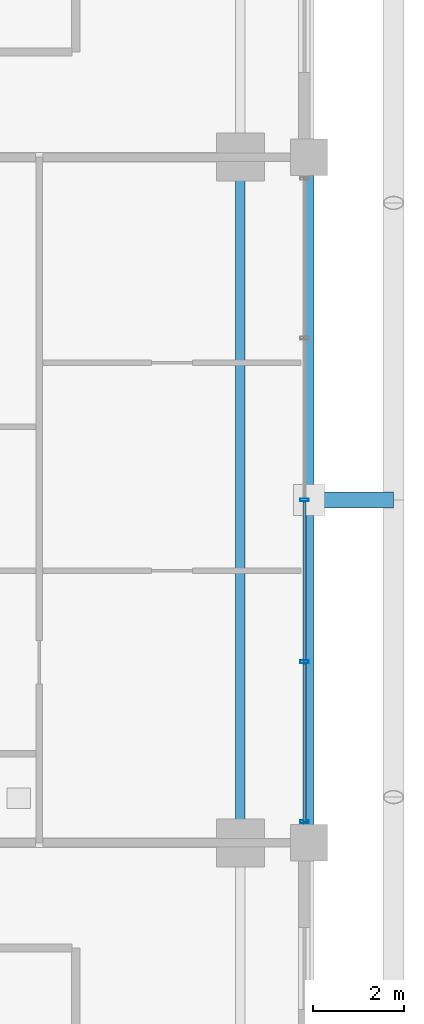
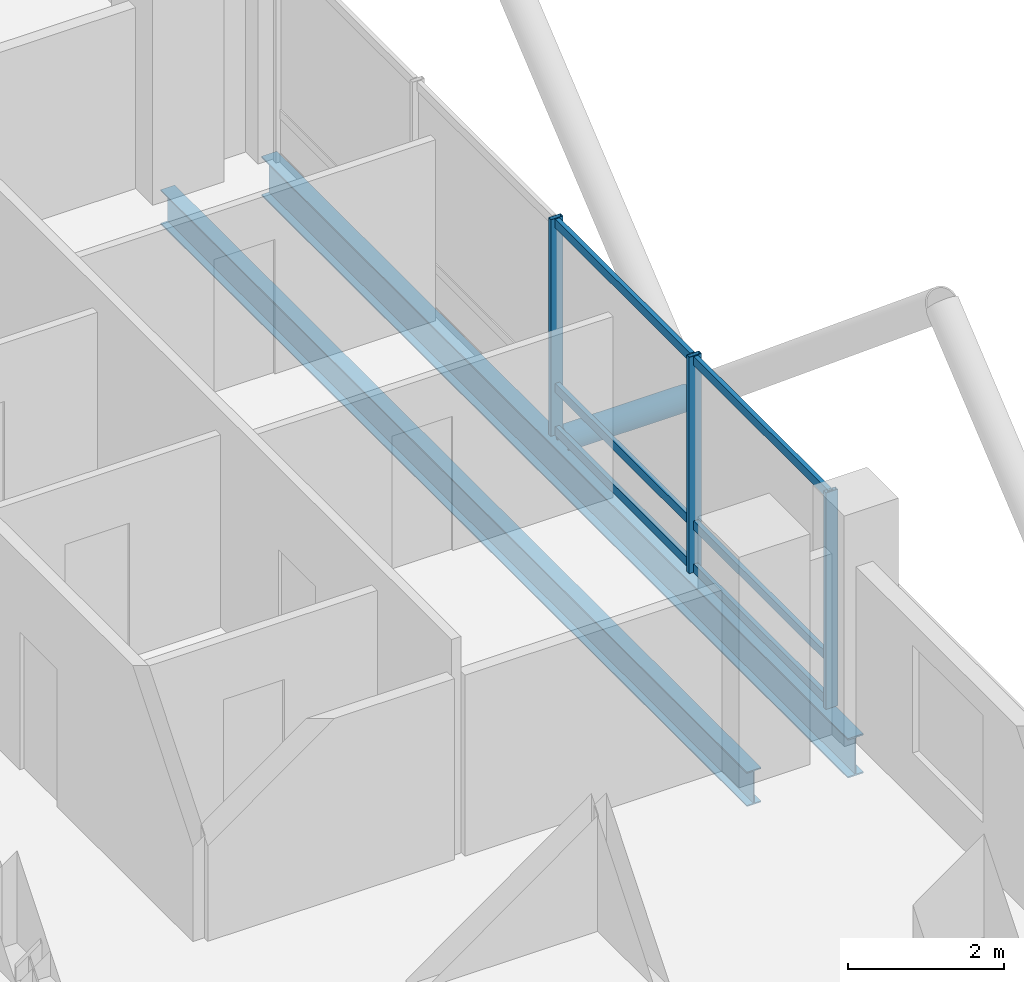
# One storey, part 11 of 26: 10 members, 2 beams, 1 element without a shape of its own.
"""IFC4 building model written with IfcOpenShell, lengths in metres."""

from ifc_helpers import new_model, si_unit, direction, frame, origin, origin_2d, place, context, subcontext, project, spatial, hollow_rectangle, hollow_circle, i_section, extrude, material, layer, layer_set, material_profile, profile_set, type_object, element, aggregate, save


model = new_model("IFC4")

# Units and contexts
model_context = context("Model", 3, precision=1e-05, world=origin(), true_north=direction((0.0, 1.0)))
body_context = subcontext(model_context, "Body", "Model", "MODEL_VIEW")
ifc_project = project(units=[si_unit("LENGTHUNIT", "METRE"), si_unit("AREAUNIT", "SQUARE_METRE"), si_unit("VOLUMEUNIT", "CUBIC_METRE"), si_unit("PLANEANGLEUNIT", "RADIAN"), si_unit("MASSUNIT", "GRAM", prefix="KILO")], contexts=[model_context])

# Site, building, storey
site_placement = place(None, origin())
site = spatial("IfcSite", under=ifc_project, at=site_placement, CompositionType="ELEMENT")
building_placement = place(site_placement, origin())
building = spatial("IfcBuilding", under=site, at=building_placement, Name="Barlavira Tower and Art Museum", CompositionType="ELEMENT")
storey_placement = place(building_placement, frame((0.0, 0.0, 176.39990234375)))
storey = spatial("IfcBuildingStorey", under=building, at=storey_placement, Name="L45", CompositionType="ELEMENT", Elevation=176.39990234375)

# Curtain wall, members
ifc_material_1 = material(Name="Low-iron coastal laminated glass", Category="glass")
ifc_layer = layer(ifc_material_1, 0.199951171875, Name="Low-iron coastal laminated glass")
ifc_layer_set = layer_set([ifc_layer], Name="Low-iron coastal laminated glass")
curtain_wall_type = type_object("IfcCurtainWallType", Name="Pale-Metal Unitised Curtain Wall Zone 3", PredefinedType="NOTDEFINED", material=ifc_layer_set)
curtain_wall_placement = place(storey_placement, origin())
curtain_wall = element("IfcCurtainWall", 1, at=curtain_wall_placement, inside=storey, type_object=curtain_wall_type, Name="L45 Curtain Wall CW3-L45-E-B3", PredefinedType="NOTDEFINED")
ifc_material_2 = material(Name="Pale anodised aluminium", Category="aluminium")
ifc_material_profile_1 = material_profile(ifc_material_2, hollow_rectangle(XDim=0.06494140625, YDim=0.179931640625, WallThickness=0.00390625, at=origin_2d()), Name="ALU-MULL 65x180x4")
ifc_profile_set_1 = profile_set([ifc_material_profile_1], Name="Pale anodised aluminium")
member_type_1 = type_object("IfcMemberType", Name="Curtain Wall Pale-Metal Mullion 65x180", PredefinedType="MULLION", material=ifc_profile_set_1)
member_1_placement = place(storey_placement, frame((18.39990234375, -7.034912109375, 0.0), z_axis=(0.0, 0.0, 1.0), x_axis=(0.0, 1.0, 0.0)))
member_1 = element("IfcMember", 2, at=member_1_placement, type_object=member_type_1, Name="CW3-L45-E-B3 Mullion 0", PredefinedType="MULLION", context=body_context, shape_type="SweptSolid", body=[
    extrude(hollow_rectangle(XDim=0.06494140625, YDim=0.179931640625, WallThickness=0.00390625, at=origin_2d()), origin(), (0.0, 0.0, 1.0), 3.380126953125),
])
member_2_placement = place(storey_placement, frame((18.39990234375, -3.5400390625, 0.0), z_axis=(0.0, 0.0, 1.0), x_axis=(0.0, 1.0, 0.0)))
member_2 = element("IfcMember", 3, at=member_2_placement, type_object=member_type_1, Name="CW3-L45-E-B3 Mullion 1", PredefinedType="MULLION", context=body_context, shape_type="SweptSolid", body=[
    extrude(hollow_rectangle(XDim=0.06494140625, YDim=0.179931640625, WallThickness=0.00390625, at=origin_2d()), origin(), (0.0, 0.0, 1.0), 3.380126953125),
])
member_3_placement = place(storey_placement, frame((18.39990234375, 0.0, 0.0), z_axis=(0.0, 0.0, 1.0), x_axis=(0.0, 1.0, 0.0)))
member_3 = element("IfcMember", 4, at=member_3_placement, type_object=member_type_1, Name="CW3-L45-E-B3 Mullion 2", PredefinedType="MULLION", context=body_context, shape_type="SweptSolid", body=[
    extrude(hollow_rectangle(XDim=0.06494140625, YDim=0.179931640625, WallThickness=0.00390625, at=origin_2d()), origin(), (0.0, 0.0, 1.0), 3.380126953125),
])
ifc_material_profile_2 = material_profile(ifc_material_2, hollow_rectangle(XDim=0.06494140625, YDim=0.139892578125, WallThickness=0.00390625, at=origin_2d()), Name="ALU-TRAN 65x140x4")
ifc_profile_set_2 = profile_set([ifc_material_profile_2], Name="Pale anodised aluminium")
member_type_2 = type_object("IfcMemberType", Name="Curtain Wall Pale-Metal Transom 65x140", PredefinedType="USERDEFINED", material=ifc_profile_set_2)
member_4_placement = place(storey_placement, frame((18.39990234375, -7.034912109375, 0.070068359375), z_axis=(0.0, 1.0, 0.0), x_axis=(-1.0, 0.0, 0.0)))
member_4 = element("IfcMember", 5, at=member_4_placement, type_object=member_type_2, Name="CW3-L45-E-B3 Transom 0.1", ObjectType="TRANSOM", PredefinedType="USERDEFINED", context=body_context, shape_type="SweptSolid", body=[
    extrude(hollow_rectangle(XDim=0.06494140625, YDim=0.139892578125, WallThickness=0.00390625, at=origin_2d()), origin(), (0.0, 0.0, 1.0), 3.449951171875),
])
member_5_placement = place(storey_placement, frame((18.39990234375, -7.034912109375, 0.744140625), z_axis=(0.0, 1.0, 0.0), x_axis=(-1.0, 0.0, 0.0)))
member_5 = element("IfcMember", 6, at=member_5_placement, type_object=member_type_2, Name="CW3-L45-E-B3 Transom 0.2", ObjectType="TRANSOM", PredefinedType="USERDEFINED", context=body_context, shape_type="SweptSolid", body=[
    extrude(hollow_rectangle(XDim=0.06494140625, YDim=0.139892578125, WallThickness=0.00390625, at=origin_2d()), origin(), (0.0, 0.0, 1.0), 3.449951171875),
])
member_6_placement = place(storey_placement, frame((18.39990234375, -7.034912109375, 3.31005859375), z_axis=(0.0, 1.0, 0.0), x_axis=(-1.0, 0.0, 0.0)))
member_6 = element("IfcMember", 7, at=member_6_placement, type_object=member_type_2, Name="CW3-L45-E-B3 Transom 0.3", ObjectType="TRANSOM", PredefinedType="USERDEFINED", context=body_context, shape_type="SweptSolid", body=[
    extrude(hollow_rectangle(XDim=0.06494140625, YDim=0.139892578125, WallThickness=0.00390625, at=origin_2d()), origin(), (0.0, 0.0, 1.0), 3.449951171875),
])
member_7_placement = place(storey_placement, frame((18.39990234375, -3.4951171875, 0.070068359375), z_axis=(0.0, 1.0, 0.0), x_axis=(-1.0, 0.0, 0.0)))
member_7 = element("IfcMember", 8, at=member_7_placement, type_object=member_type_2, Name="CW3-L45-E-B3 Transom 1.1", ObjectType="TRANSOM", PredefinedType="USERDEFINED", context=body_context, shape_type="SweptSolid", body=[
    extrude(hollow_rectangle(XDim=0.06494140625, YDim=0.139892578125, WallThickness=0.00390625, at=origin_2d()), origin(), (0.0, 0.0, 1.0), 3.4501953125),
])
member_8_placement = place(storey_placement, frame((18.39990234375, -3.4951171875, 0.744140625), z_axis=(0.0, 1.0, 0.0), x_axis=(-1.0, 0.0, 0.0)))
member_8 = element("IfcMember", 9, at=member_8_placement, type_object=member_type_2, Name="CW3-L45-E-B3 Transom 1.2", ObjectType="TRANSOM", PredefinedType="USERDEFINED", context=body_context, shape_type="SweptSolid", body=[
    extrude(hollow_rectangle(XDim=0.06494140625, YDim=0.139892578125, WallThickness=0.00390625, at=origin_2d()), origin(), (0.0, 0.0, 1.0), 3.4501953125),
])
member_9_placement = place(storey_placement, frame((18.39990234375, -3.4951171875, 3.31005859375), z_axis=(0.0, 1.0, 0.0), x_axis=(-1.0, 0.0, 0.0)))
member_9 = element("IfcMember", 10, at=member_9_placement, type_object=member_type_2, Name="CW3-L45-E-B3 Transom 1.3", ObjectType="TRANSOM", PredefinedType="USERDEFINED", context=body_context, shape_type="SweptSolid", body=[
    extrude(hollow_rectangle(XDim=0.06494140625, YDim=0.139892578125, WallThickness=0.00390625, at=origin_2d()), origin(), (0.0, 0.0, 1.0), 3.4501953125),
])
aggregate(curtain_wall, [member_1, member_2, member_3, member_4, member_5, member_6, member_7, member_8, member_9])

# Member
ifc_material_3 = material(Name="Steel S355", Category="steel")
ifc_material_profile_3 = material_profile(ifc_material_3, hollow_circle(Radius=0.177734375, WallThickness=0.01611328125, at=origin_2d()), Name="CHS 355.6x16.0")
ifc_profile_set_3 = profile_set([ifc_material_profile_3], Name="Steel S355")
member_type_3 = type_object("IfcMemberType", Name="Pale-Metal Exoskeleton Tie Strut CHS 356x16 Steel S355", PredefinedType="STRUT", material=ifc_profile_set_3)
member_10_placement = place(storey_placement, frame((20.35009765625, 0.0, -0.119873046875), z_axis=(-1.0, 0.0, 0.0), x_axis=(0.0, -1.0, 0.0)))
element("IfcMember", 11, at=member_10_placement, inside=storey, type_object=member_type_3, Name="L45 Exoskeleton Tie Strut E2", PredefinedType="STRUT", context=body_context, shape_type="SweptSolid", body=[
    extrude(hollow_circle(Radius=0.177734375, WallThickness=0.01611328125, at=origin_2d()), origin(), (0.0, 0.0, 1.0), 1.85009765625),
])

# Beams
ifc_material_profile_4 = material_profile(ifc_material_3, i_section(OverallWidth=0.22998046875, OverallDepth=0.616943359375, WebThickness=0.01318359375, FlangeThickness=0.022216796875, at=origin_2d()), Name="W610x140.0")
ifc_profile_set_4 = profile_set([ifc_material_profile_4], Name="Steel S355")
beam_type_1 = type_object("IfcBeamType", Name="Upper Shaft Spandrel Edge Beam W610x140 Steel S355", PredefinedType="SPANDREL", material=ifc_profile_set_4)
beam_1_placement = place(storey_placement, frame((18.5, -7.5, -0.5283203125), z_axis=(0.0, 1.0, 0.0), x_axis=(-1.0, 0.0, 0.0)))
element("IfcBeam", 12, at=beam_1_placement, inside=storey, type_object=beam_type_1, Name="L45 Spandrel 6", PredefinedType="SPANDREL", context=body_context, shape_type="SweptSolid", body=[
    extrude(i_section(OverallWidth=0.22998046875, OverallDepth=0.616943359375, WebThickness=0.01318359375, FlangeThickness=0.022216796875, at=origin_2d()), origin(), (0.0, 0.0, 1.0), 15.0),
])
ifc_material_profile_5 = material_profile(ifc_material_3, i_section(OverallWidth=0.2109375, OverallDepth=0.5390625, WebThickness=0.01171875, FlangeThickness=0.018798828125, at=origin_2d()), Name="W530x109.0")
ifc_profile_set_5 = profile_set([ifc_material_profile_5], Name="Steel S355")
beam_type_2 = type_object("IfcBeamType", Name="Zone 3-4 Primary Floor Girder W530x109 Steel S355", PredefinedType="BEAM", material=ifc_profile_set_5)
beam_2_placement = place(storey_placement, frame((17.0, -7.5, -0.489501953125), z_axis=(0.0, 1.0, 0.0), x_axis=(-1.0, 0.0, 0.0)))
element("IfcBeam", 13, at=beam_2_placement, inside=storey, type_object=beam_type_2, Name="L45 Girder M-E2", PredefinedType="BEAM", context=body_context, shape_type="SweptSolid", body=[
    extrude(i_section(OverallWidth=0.2109375, OverallDepth=0.5390625, WebThickness=0.01171875, FlangeThickness=0.018798828125, at=origin_2d()), origin(), (0.0, 0.0, 1.0), 15.0),
])

save(model, "model.ifc")
